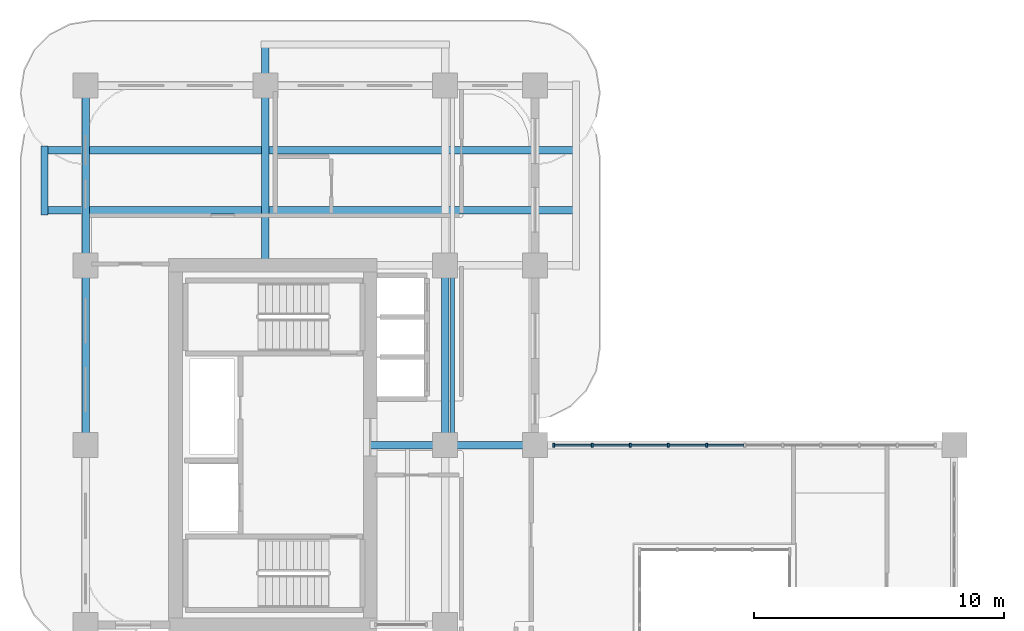
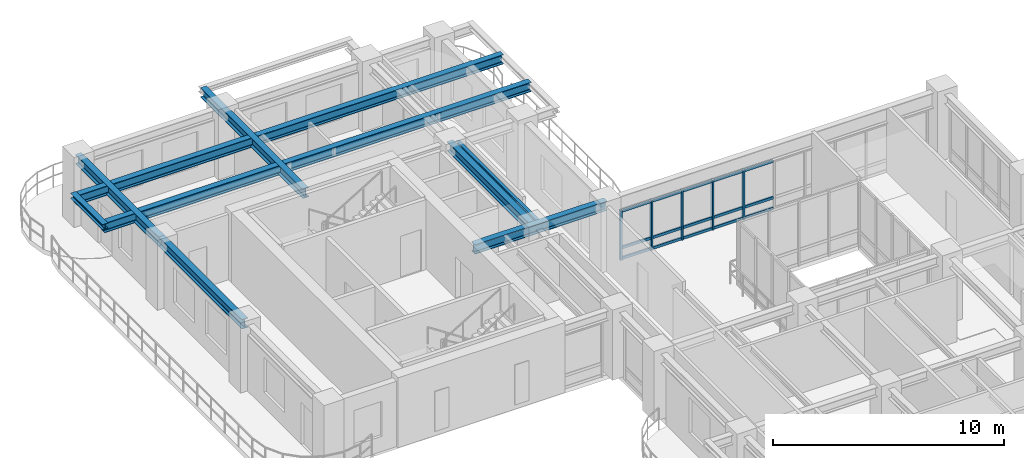
# One storey, part 5 of 20: 20 members, 9 beams, 1 element without a shape of its own.
"""IFC4 building model written with IfcOpenShell, lengths in metres."""

from ifc_helpers import new_model, si_unit, derived_unit, direction, frame, origin, origin_2d, place, context, subcontext, project, spatial, rectangle, i_section, extrude, source, transform, mapped, material, layer, layer_set, material_profile, profile_set, type_object, type_shapes, element, aggregate, save


model = new_model("IFC4")

# Units and contexts
model_context = context("Model", 3, precision=1e-05, world=origin(), true_north=direction((0.0, 1.0)))
body_context = subcontext(model_context, "Body", "Model", "MODEL_VIEW")
ifc_project = project(units=[si_unit("LENGTHUNIT", "METRE"), si_unit("AREAUNIT", "SQUARE_METRE"), si_unit("VOLUMEUNIT", "CUBIC_METRE"), si_unit("PLANEANGLEUNIT", "RADIAN"), si_unit("MASSUNIT", "GRAM", prefix="KILO"), si_unit("THERMODYNAMICTEMPERATUREUNIT", "KELVIN"), si_unit("POWERUNIT", "WATT"), derived_unit("THERMALTRANSMITTANCEUNIT", [(si_unit("POWERUNIT", "WATT"), 1), (si_unit("AREAUNIT", "SQUARE_METRE"), -1), (si_unit("THERMODYNAMICTEMPERATUREUNIT", "KELVIN"), -1)])], contexts=[model_context])

# Site, building, storey
site_placement = place(None, origin())
site = spatial("IfcSite", under=ifc_project, at=site_placement, CompositionType="ELEMENT")
building_placement = place(site_placement, origin())
building = spatial("IfcBuilding", under=site, at=building_placement, Name="Zahravan Archway Hotel and Residences", CompositionType="ELEMENT")
storey_placement = place(building_placement, frame((0.0, 0.0, 115.5)))
storey = spatial("IfcBuildingStorey", under=building, at=storey_placement, Name="L28", CompositionType="ELEMENT", Elevation=115.5)

# Beams
ifc_material_1 = material(Name="Structural Steel S355JR", Category="steel")
ifc_material_profile_1 = material_profile(ifc_material_1, i_section(OverallWidth=0.280029296875, OverallDepth=0.280029296875, WebThickness=0.010498046875, FlangeThickness=0.01806640625, FilletRadius=0.02392578125, at=origin_2d()), Name="HEB 280", Category="steel")
ifc_profile_set_1 = profile_set([ifc_material_profile_1], Name="Structural Steel S355JR")
beam_type_1 = type_object("IfcBeamType", Name="BM-SPN-HEB280", PredefinedType="SPANDREL", material=ifc_profile_set_1)
shared_shape_1 = source(origin(), body_context, "Body", "SweptSolid", [
    extrude(i_section(OverallWidth=0.280029296875, OverallDepth=0.280029296875, WebThickness=0.010498046875, FlangeThickness=0.01806640625, FilletRadius=0.02392578125, at=origin_2d()), origin(), (0.0, 0.0, 1.0), 2.759765625),
])
beam_1_placement = place(storey_placement, frame((-1.64990234375, 41.6201171875, 3.31005859375), z_axis=(0.0, 1.0, 0.0), x_axis=(-1.0, 0.0, 0.0)))
element("IfcBeam", 1, at=beam_1_placement, inside=storey, type_object=beam_type_1, Name="L29 WB Balcony Edge Spandrel", PredefinedType="SPANDREL", context=body_context, shape_type="MappedRepresentation", body=[
    mapped(shared_shape_1, transform((0.0, 0.0, 0.0), scale=1.0)),
])
ifc_material_profile_2 = material_profile(ifc_material_1, i_section(OverallWidth=0.300048828125, OverallDepth=0.5, WebThickness=0.014404296875, FlangeThickness=0.028076171875, FilletRadius=0.027099609375, at=origin_2d()), Name="HEB 500", Category="steel")
ifc_profile_set_2 = profile_set([ifc_material_profile_2], Name="Structural Steel S355JR")
beam_type_2 = type_object("IfcBeamType", Name="BM-PRI-HEB500", PredefinedType="BEAM", material=ifc_profile_set_2)
shared_shape_2 = source(origin(), body_context, "Body", "SweptSolid", [
    extrude(i_section(OverallWidth=0.300048828125, OverallDepth=0.5, WebThickness=0.014404296875, FlangeThickness=0.028076171875, FilletRadius=0.027099609375, at=origin_2d()), origin(), (0.0, 0.0, 1.0), 7.2001953125),
])
type_shapes(beam_type_2, [shared_shape_2])
for number, where, z_axis, x_axis, name in (
    (2, (0.0, 32.39990234375, 3.199951171875), (0.0, 1.0, 0.0), (-1.0, 0.0, 0.0), "L28 Primary Girder NS-25"),
    (3, (14.39990234375, 32.39990234375, 3.199951171875), (0.0, 1.0, 0.0), (-1.0, 0.0, 0.0), "L28 Primary Girder NS-33"),
):
    element("IfcBeam", number, at=place(storey_placement, frame(where, z_axis=z_axis, x_axis=x_axis)), inside=storey, type_object=beam_type_2, Name=name, PredefinedType="BEAM", context=body_context, shape_type="MappedRepresentation", body=[
        mapped(shared_shape_2, transform((0.0, 0.0, 0.0), scale=1.0)),
    ])
shared_shape_3 = source(origin(), body_context, "Body", "SweptSolid", [
    extrude(i_section(OverallWidth=0.300048828125, OverallDepth=0.5, WebThickness=0.014404296875, FlangeThickness=0.028076171875, FilletRadius=0.027099609375, at=origin_2d()), origin(), (0.0, 0.0, 1.0), 7.199951171875),
])
beam_2_placement = place(storey_placement, frame((0.0, 39.60009765625, 3.199951171875), z_axis=(0.0, 1.0, 0.0), x_axis=(-1.0, 0.0, 0.0)))
element("IfcBeam", 4, at=beam_2_placement, inside=storey, type_object=beam_type_2, Name="L28 Primary Girder NS-26", PredefinedType="BEAM", context=body_context, shape_type="MappedRepresentation", body=[
    mapped(shared_shape_3, transform((0.0, 0.0, 0.0), scale=1.0)),
])
shared_shape_4 = source(origin(), body_context, "Body", "SweptSolid", [
    extrude(i_section(OverallWidth=0.300048828125, OverallDepth=0.5, WebThickness=0.014404296875, FlangeThickness=0.028076171875, FilletRadius=0.027099609375, at=origin_2d()), origin(), (0.0, 0.0, 1.0), 6.60009765625),
])
beam_3_placement = place(storey_placement, frame((11.39990234375, 32.39990234375, 3.199951171875), z_axis=(1.0, 0.0, 0.0), x_axis=(0.0, 1.0, 0.0)))
element("IfcBeam", 5, at=beam_3_placement, inside=storey, type_object=beam_type_2, Name="L28 Primary Girder EW-17", PredefinedType="BEAM", context=body_context, shape_type="MappedRepresentation", body=[
    mapped(shared_shape_4, transform((0.0, 0.0, 0.0), scale=1.0)),
])
ifc_material_profile_3 = material_profile(ifc_material_1, i_section(OverallWidth=0.159912109375, OverallDepth=0.330078125, WebThickness=0.007568359375, FlangeThickness=0.011474609375, FilletRadius=0.01806640625, at=origin_2d()), Name="IPE 330", Category="steel")
ifc_profile_set_3 = profile_set([ifc_material_profile_3], Name="Structural Steel S355JR")
beam_type_3 = type_object("IfcBeamType", Name="BM-JST-IPE330", PredefinedType="JOIST", material=ifc_profile_set_3)
shared_shape_5 = source(origin(), body_context, "Body", "SweptSolid", [
    extrude(i_section(OverallWidth=0.159912109375, OverallDepth=0.330078125, WebThickness=0.007568359375, FlangeThickness=0.011474609375, FilletRadius=0.01806640625, at=origin_2d()), origin(), (0.0, 0.0, 1.0), 6.90380859375),
])
beam_4_placement = place(storey_placement, frame((14.699951171875, 32.548095703125, 3.284912109375), z_axis=(0.0, 1.0, 0.0), x_axis=(-1.0, 0.0, 0.0)))
element("IfcBeam", 6, at=beam_4_placement, inside=storey, type_object=beam_type_3, Name="L28 Composite Floor Joist 11", PredefinedType="JOIST", context=body_context, shape_type="MappedRepresentation", body=[
    mapped(shared_shape_5, transform((0.0, 0.0, 0.0), scale=1.0)),
])
shared_shape_6 = source(origin(), body_context, "Body", "SweptSolid", [
    extrude(i_section(OverallWidth=0.300048828125, OverallDepth=0.5, WebThickness=0.014404296875, FlangeThickness=0.028076171875, FilletRadius=0.027099609375, at=origin_2d()), origin(), (0.0, 0.0, 1.0), 21.2998046875),
])
for number, where, z_axis, x_axis, name in (
    (7, (-1.64990234375, 41.800048828125, 3.199951171875), (1.0, 0.0, 0.0), (0.0, 1.0, 0.0), "L28 Primary Girder EW-22"),
    (8, (-1.64990234375, 44.199951171875, 3.199951171875), (1.0, 0.0, 0.0), (0.0, 1.0, 0.0), "L28 Primary Girder EW-23"),
):
    element("IfcBeam", number, at=place(storey_placement, frame(where, z_axis=z_axis, x_axis=x_axis)), inside=storey, type_object=beam_type_2, Name=name, PredefinedType="BEAM", context=body_context, shape_type="MappedRepresentation", body=[
        mapped(shared_shape_6, transform((0.0, 0.0, 0.0), scale=1.0)),
    ])
shared_shape_7 = source(origin(), body_context, "Body", "SweptSolid", [
    extrude(i_section(OverallWidth=0.300048828125, OverallDepth=0.5, WebThickness=0.014404296875, FlangeThickness=0.028076171875, FilletRadius=0.027099609375, at=origin_2d()), origin(), (0.0, 0.0, 1.0), 8.849853515625),
])
beam_5_placement = place(storey_placement, frame((7.199951171875, 39.60009765625, 3.199951171875), z_axis=(0.0, 1.0, 0.0), x_axis=(-1.0, 0.0, 0.0)))
element("IfcBeam", 9, at=beam_5_placement, inside=storey, type_object=beam_type_2, Name="L28 Primary Girder NS-27", PredefinedType="BEAM", context=body_context, shape_type="MappedRepresentation", body=[
    mapped(shared_shape_7, transform((0.0, 0.0, 0.0), scale=1.0)),
])

# Curtain wall, members
ifc_material_2 = material(Name="Bronze-Anodized Unitised Aluminium & Low-E Glass", Category="aluminium")
ifc_layer = layer(ifc_material_2, 0.179931640625, Name="Bronze-Anodized Unitised Aluminium & Low-E Glass", Category="aluminium")
ifc_layer_set = layer_set([ifc_layer], Name="Bronze-Anodized Unitised Aluminium & Low-E Glass")
curtain_wall_type = type_object("IfcCurtainWallType", Name="CW-ATR-GLAZ", PredefinedType="NOTDEFINED", material=ifc_layer_set)
curtain_wall_placement = place(storey_placement, origin())
curtain_wall = element("IfcCurtainWall", 10, at=curtain_wall_placement, inside=storey, type_object=curtain_wall_type, Name="L28 Curtain Wall CW-L28-HNG-N-1", PredefinedType="NOTDEFINED")
ifc_material_3 = material(Name="Bronze-Anodized Extruded Aluminium", Category="aluminium")
ifc_material_profile_4 = material_profile(ifc_material_3, rectangle(XDim=0.080078125, YDim=0.159912109375, at=origin_2d()), Name="MUL 80x160", Category="aluminium")
ifc_profile_set_4 = profile_set([ifc_material_profile_4], Name="Bronze-Anodized Extruded Aluminium")
member_type_1 = type_object("IfcMemberType", Name="CWM-MUL-160", PredefinedType="MULLION", material=ifc_profile_set_4)
shared_shape_8 = source(origin(), body_context, "Body", "SweptSolid", [
    extrude(rectangle(XDim=0.080078125, YDim=0.159912109375, at=origin_2d()), origin(), (0.0, 0.0, 1.0), 2.635009765625),
])
member_1_placement = place(storey_placement, frame((18.760009765625, 32.39990234375, 0.0), z_axis=(0.0, 0.0, 1.0), x_axis=(1.0, 0.0, 0.0)))
member_1 = element("IfcMember", 11, at=member_1_placement, type_object=member_type_1, Name="CW-L28-HNG-N-1 Mullion 0", PredefinedType="MULLION", context=body_context, shape_type="MappedRepresentation", body=[
    mapped(shared_shape_8, transform((0.0, 0.0, 0.0), scale=1.0)),
])
member_2_placement = place(storey_placement, frame((20.2880859375, 32.39990234375, 0.0), z_axis=(0.0, 0.0, 1.0), x_axis=(1.0, 0.0, 0.0)))
member_2 = element("IfcMember", 12, at=member_2_placement, type_object=member_type_1, Name="CW-L28-HNG-N-1 Mullion 1", PredefinedType="MULLION", context=body_context, shape_type="MappedRepresentation", body=[
    mapped(shared_shape_8, transform((0.0, 0.0, 0.0), scale=1.0)),
])
member_3_placement = place(storey_placement, frame((21.81591796875, 32.39990234375, 0.0), z_axis=(0.0, 0.0, 1.0), x_axis=(1.0, 0.0, 0.0)))
member_3 = element("IfcMember", 13, at=member_3_placement, type_object=member_type_1, Name="CW-L28-HNG-N-1 Mullion 2", PredefinedType="MULLION", context=body_context, shape_type="MappedRepresentation", body=[
    mapped(shared_shape_8, transform((0.0, 0.0, 0.0), scale=1.0)),
])
member_4_placement = place(storey_placement, frame((23.343994140625, 32.39990234375, 0.0), z_axis=(0.0, 0.0, 1.0), x_axis=(1.0, 0.0, 0.0)))
member_4 = element("IfcMember", 14, at=member_4_placement, type_object=member_type_1, Name="CW-L28-HNG-N-1 Mullion 3", PredefinedType="MULLION", context=body_context, shape_type="MappedRepresentation", body=[
    mapped(shared_shape_8, transform((0.0, 0.0, 0.0), scale=1.0)),
])
member_5_placement = place(storey_placement, frame((24.8720703125, 32.39990234375, 0.0), z_axis=(0.0, 0.0, 1.0), x_axis=(1.0, 0.0, 0.0)))
member_5 = element("IfcMember", 15, at=member_5_placement, type_object=member_type_1, Name="CW-L28-HNG-N-1 Mullion 4", PredefinedType="MULLION", context=body_context, shape_type="MappedRepresentation", body=[
    mapped(shared_shape_8, transform((0.0, 0.0, 0.0), scale=1.0)),
])
ifc_material_profile_5 = material_profile(ifc_material_3, rectangle(XDim=0.080078125, YDim=0.139892578125, at=origin_2d()), Name="TRN 80x140", Category="aluminium")
ifc_profile_set_5 = profile_set([ifc_material_profile_5], Name="Bronze-Anodized Extruded Aluminium")
member_type_2 = type_object("IfcMemberType", Name="CWM-TRN-140", PredefinedType="USERDEFINED", material=ifc_profile_set_5)
shared_shape_9 = source(origin(), body_context, "Body", "SweptSolid", [
    extrude(rectangle(XDim=0.080078125, YDim=0.139892578125, at=origin_2d()), origin(), (0.0, 0.0, 1.0), 1.447998046875),
])
member_6_placement = place(storey_placement, frame((18.800048828125, 32.39990234375, 0.070068359375), z_axis=(1.0, 0.0, 0.0), x_axis=(0.0, 1.0, 0.0)))
member_6 = element("IfcMember", 16, at=member_6_placement, type_object=member_type_2, Name="CW-L28-HNG-N-1 Transom 0-1", ObjectType="TRANSOM", PredefinedType="USERDEFINED", context=body_context, shape_type="MappedRepresentation", body=[
    mapped(shared_shape_9, transform((0.0, 0.0, 0.0), scale=1.0)),
])
member_7_placement = place(storey_placement, frame((18.800048828125, 32.39990234375, 0.63232421875), z_axis=(1.0, 0.0, 0.0), x_axis=(0.0, 1.0, 0.0)))
member_7 = element("IfcMember", 17, at=member_7_placement, type_object=member_type_2, Name="CW-L28-HNG-N-1 Transom 0-2", ObjectType="TRANSOM", PredefinedType="USERDEFINED", context=body_context, shape_type="MappedRepresentation", body=[
    mapped(shared_shape_9, transform((0.0, 0.0, 0.0), scale=1.0)),
])
member_8_placement = place(storey_placement, frame((18.800048828125, 32.39990234375, 2.56494140625), z_axis=(1.0, 0.0, 0.0), x_axis=(0.0, 1.0, 0.0)))
member_8 = element("IfcMember", 18, at=member_8_placement, type_object=member_type_2, Name="CW-L28-HNG-N-1 Transom 0-3", ObjectType="TRANSOM", PredefinedType="USERDEFINED", context=body_context, shape_type="MappedRepresentation", body=[
    mapped(shared_shape_9, transform((0.0, 0.0, 0.0), scale=1.0)),
])
member_9_placement = place(storey_placement, frame((20.327880859375, 32.39990234375, 0.070068359375), z_axis=(1.0, 0.0, 0.0), x_axis=(0.0, 1.0, 0.0)))
member_9 = element("IfcMember", 19, at=member_9_placement, type_object=member_type_2, Name="CW-L28-HNG-N-1 Transom 1-1", ObjectType="TRANSOM", PredefinedType="USERDEFINED", context=body_context, shape_type="MappedRepresentation", body=[
    mapped(shared_shape_9, transform((0.0, 0.0, 0.0), scale=1.0)),
])
member_10_placement = place(storey_placement, frame((20.327880859375, 32.39990234375, 0.63232421875), z_axis=(1.0, 0.0, 0.0), x_axis=(0.0, 1.0, 0.0)))
member_10 = element("IfcMember", 20, at=member_10_placement, type_object=member_type_2, Name="CW-L28-HNG-N-1 Transom 1-2", ObjectType="TRANSOM", PredefinedType="USERDEFINED", context=body_context, shape_type="MappedRepresentation", body=[
    mapped(shared_shape_9, transform((0.0, 0.0, 0.0), scale=1.0)),
])
member_11_placement = place(storey_placement, frame((20.327880859375, 32.39990234375, 2.56494140625), z_axis=(1.0, 0.0, 0.0), x_axis=(0.0, 1.0, 0.0)))
member_11 = element("IfcMember", 21, at=member_11_placement, type_object=member_type_2, Name="CW-L28-HNG-N-1 Transom 1-3", ObjectType="TRANSOM", PredefinedType="USERDEFINED", context=body_context, shape_type="MappedRepresentation", body=[
    mapped(shared_shape_9, transform((0.0, 0.0, 0.0), scale=1.0)),
])
member_12_placement = place(storey_placement, frame((21.85595703125, 32.39990234375, 0.070068359375), z_axis=(1.0, 0.0, 0.0), x_axis=(0.0, 1.0, 0.0)))
member_12 = element("IfcMember", 22, at=member_12_placement, type_object=member_type_2, Name="CW-L28-HNG-N-1 Transom 2-1", ObjectType="TRANSOM", PredefinedType="USERDEFINED", context=body_context, shape_type="MappedRepresentation", body=[
    mapped(shared_shape_9, transform((0.0, 0.0, 0.0), scale=1.0)),
])
member_13_placement = place(storey_placement, frame((21.85595703125, 32.39990234375, 0.63232421875), z_axis=(1.0, 0.0, 0.0), x_axis=(0.0, 1.0, 0.0)))
member_13 = element("IfcMember", 23, at=member_13_placement, type_object=member_type_2, Name="CW-L28-HNG-N-1 Transom 2-2", ObjectType="TRANSOM", PredefinedType="USERDEFINED", context=body_context, shape_type="MappedRepresentation", body=[
    mapped(shared_shape_9, transform((0.0, 0.0, 0.0), scale=1.0)),
])
member_14_placement = place(storey_placement, frame((21.85595703125, 32.39990234375, 2.56494140625), z_axis=(1.0, 0.0, 0.0), x_axis=(0.0, 1.0, 0.0)))
member_14 = element("IfcMember", 24, at=member_14_placement, type_object=member_type_2, Name="CW-L28-HNG-N-1 Transom 2-3", ObjectType="TRANSOM", PredefinedType="USERDEFINED", context=body_context, shape_type="MappedRepresentation", body=[
    mapped(shared_shape_9, transform((0.0, 0.0, 0.0), scale=1.0)),
])
member_15_placement = place(storey_placement, frame((23.384033203125, 32.39990234375, 0.070068359375), z_axis=(1.0, 0.0, 0.0), x_axis=(0.0, 1.0, 0.0)))
member_15 = element("IfcMember", 25, at=member_15_placement, type_object=member_type_2, Name="CW-L28-HNG-N-1 Transom 3-1", ObjectType="TRANSOM", PredefinedType="USERDEFINED", context=body_context, shape_type="MappedRepresentation", body=[
    mapped(shared_shape_9, transform((0.0, 0.0, 0.0), scale=1.0)),
])
member_16_placement = place(storey_placement, frame((23.384033203125, 32.39990234375, 0.63232421875), z_axis=(1.0, 0.0, 0.0), x_axis=(0.0, 1.0, 0.0)))
member_16 = element("IfcMember", 26, at=member_16_placement, type_object=member_type_2, Name="CW-L28-HNG-N-1 Transom 3-2", ObjectType="TRANSOM", PredefinedType="USERDEFINED", context=body_context, shape_type="MappedRepresentation", body=[
    mapped(shared_shape_9, transform((0.0, 0.0, 0.0), scale=1.0)),
])
member_17_placement = place(storey_placement, frame((23.384033203125, 32.39990234375, 2.56494140625), z_axis=(1.0, 0.0, 0.0), x_axis=(0.0, 1.0, 0.0)))
member_17 = element("IfcMember", 27, at=member_17_placement, type_object=member_type_2, Name="CW-L28-HNG-N-1 Transom 3-3", ObjectType="TRANSOM", PredefinedType="USERDEFINED", context=body_context, shape_type="MappedRepresentation", body=[
    mapped(shared_shape_9, transform((0.0, 0.0, 0.0), scale=1.0)),
])
member_18_placement = place(storey_placement, frame((24.912109375, 32.39990234375, 0.070068359375), z_axis=(1.0, 0.0, 0.0), x_axis=(0.0, 1.0, 0.0)))
member_18 = element("IfcMember", 28, at=member_18_placement, type_object=member_type_2, Name="CW-L28-HNG-N-1 Transom 4-1", ObjectType="TRANSOM", PredefinedType="USERDEFINED", context=body_context, shape_type="MappedRepresentation", body=[
    mapped(shared_shape_9, transform((0.0, 0.0, 0.0), scale=1.0)),
])
member_19_placement = place(storey_placement, frame((24.912109375, 32.39990234375, 0.63232421875), z_axis=(1.0, 0.0, 0.0), x_axis=(0.0, 1.0, 0.0)))
member_19 = element("IfcMember", 29, at=member_19_placement, type_object=member_type_2, Name="CW-L28-HNG-N-1 Transom 4-2", ObjectType="TRANSOM", PredefinedType="USERDEFINED", context=body_context, shape_type="MappedRepresentation", body=[
    mapped(shared_shape_9, transform((0.0, 0.0, 0.0), scale=1.0)),
])
member_20_placement = place(storey_placement, frame((24.912109375, 32.39990234375, 2.56494140625), z_axis=(1.0, 0.0, 0.0), x_axis=(0.0, 1.0, 0.0)))
member_20 = element("IfcMember", 30, at=member_20_placement, type_object=member_type_2, Name="CW-L28-HNG-N-1 Transom 4-3", ObjectType="TRANSOM", PredefinedType="USERDEFINED", context=body_context, shape_type="MappedRepresentation", body=[
    mapped(shared_shape_9, transform((0.0, 0.0, 0.0), scale=1.0)),
])
aggregate(curtain_wall, [member_1, member_2, member_3, member_4, member_5, member_6, member_7, member_8, member_9, member_10, member_11, member_12, member_13, member_14, member_15, member_16, member_17, member_18, member_19, member_20])

save(model, "model.ifc")
